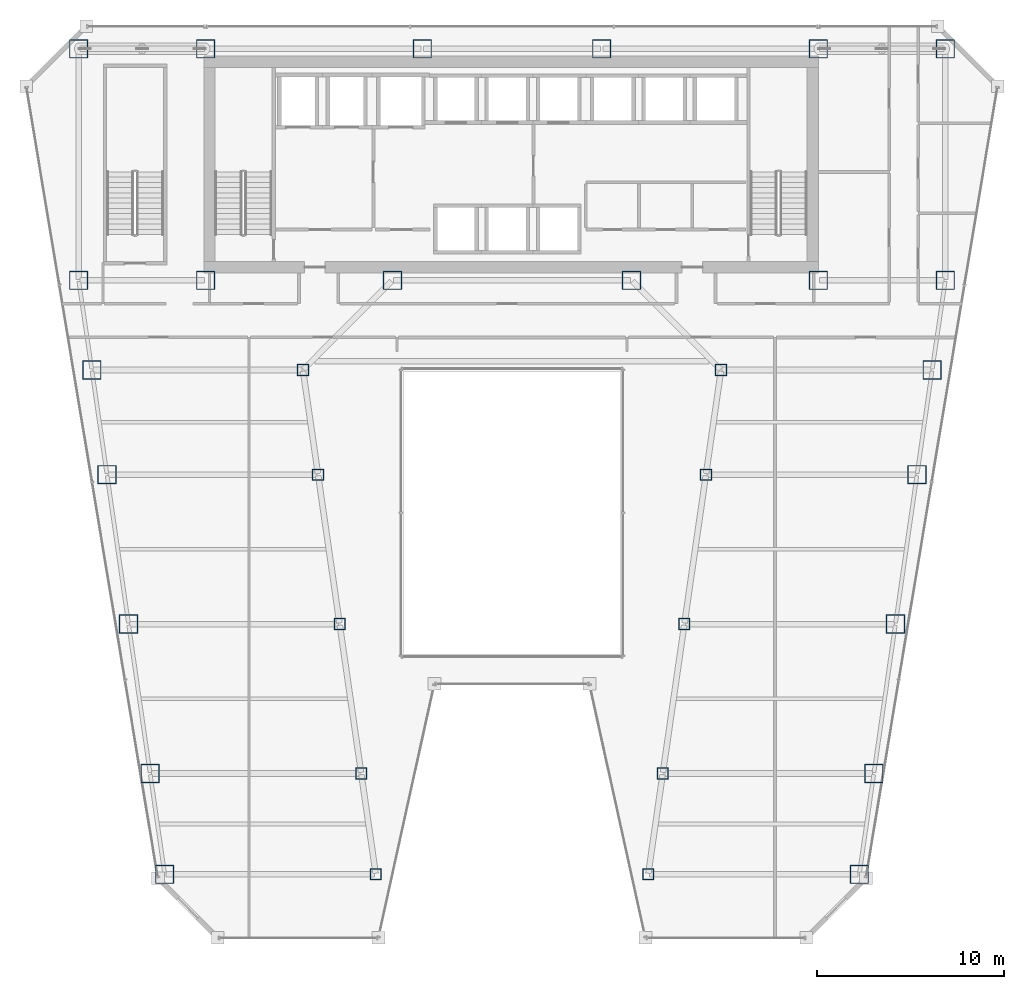
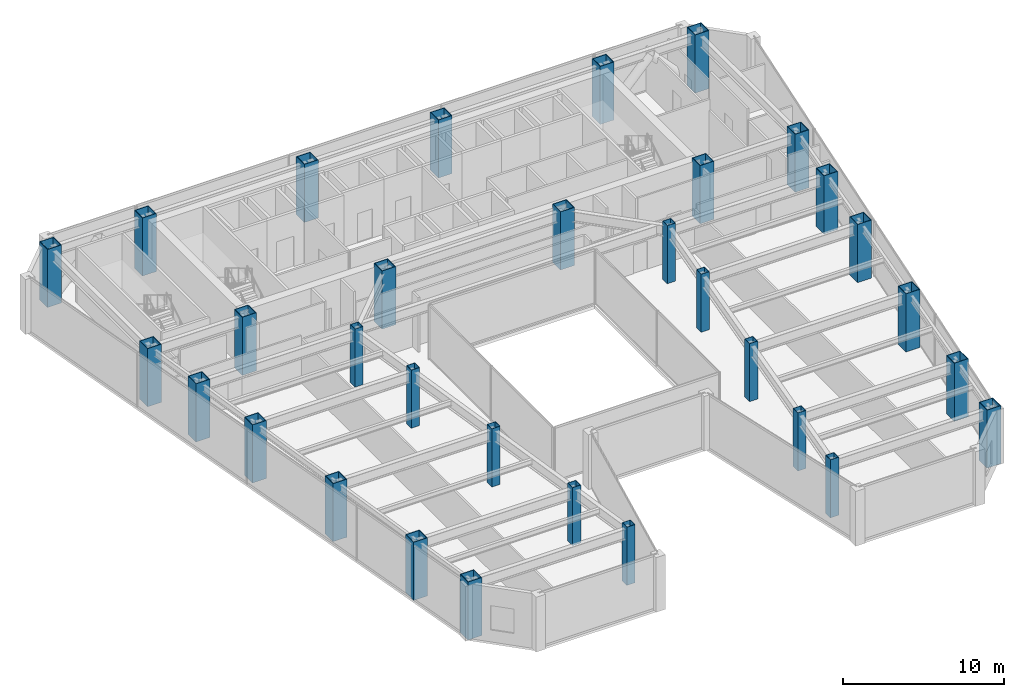
# One storey, part 1 of 37: 32 columns.
"""IFC4 building model written with IfcOpenShell, lengths in metres."""

from ifc_helpers import new_model, si_unit, direction, frame, origin, origin_2d, place, context, subcontext, project, spatial, hollow_rectangle, extrude, material, material_profile, profile_set, type_object, element, save


model = new_model("IFC4")

# Units and contexts
model_context = context("Model", 3, precision=1e-05, world=origin(), true_north=direction((0.0, 1.0)))
body_context = subcontext(model_context, "Body", "Model", "MODEL_VIEW")
ifc_project = project(units=[si_unit("LENGTHUNIT", "METRE"), si_unit("AREAUNIT", "SQUARE_METRE"), si_unit("VOLUMEUNIT", "CUBIC_METRE"), si_unit("PLANEANGLEUNIT", "RADIAN"), si_unit("MASSUNIT", "GRAM", prefix="KILO")], contexts=[model_context])

# Site, building, storey
site_placement = place(None, origin())
site = spatial("IfcSite", under=ifc_project, at=site_placement, CompositionType="ELEMENT")
building_placement = place(site_placement, origin())
building = spatial("IfcBuilding", under=site, at=building_placement, Name="Saevonmaru Cultural Tower", CompositionType="ELEMENT")
storey_placement = place(building_placement, frame((0.0, 0.0, 106.0)))
storey = spatial("IfcBuildingStorey", under=building, at=storey_placement, Name="L22", CompositionType="ELEMENT", Elevation=106.0)

# Columns
ifc_material_1 = material(Name="Steel SM420", Category="steel")
ifc_material_profile_1 = material_profile(ifc_material_1, hollow_rectangle(XDim=1.0, YDim=1.0, WallThickness=0.044921875, at=origin_2d()), Name="BOX-1000x1000x45")
ifc_profile_set_1 = profile_set([ifc_material_profile_1], Name="Steel SM420")
column_type_1 = type_object("IfcColumnType", Name="COL-BOX-1000", PredefinedType="COLUMN", material=ifc_profile_set_1)
for number, where, z_axis, x_axis, name in (
    (1, (6.800048828125, 54.800048828125, 0.0), (0.0, 0.0, 1.0), (1.0, 0.0, 0.0), "L22 Column TC-N1N"),
    (2, (13.60009765625, 54.800048828125, 0.0), (0.0, 0.0, 1.0), (1.0, 0.0, 0.0), "L22 Column TC-N2N"),
    (3, (25.199951171875, 54.800048828125, 0.0), (0.0, 0.0, 1.0), (1.0, 0.0, 0.0), "L22 Column TC-N3N"),
    (4, (34.800048828125, 54.800048828125, 0.0), (0.0, 0.0, 1.0), (1.0, 0.0, 0.0), "L22 Column TC-N4N"),
    (5, (46.39990234375, 54.800048828125, 0.0), (0.0, 0.0, 1.0), (1.0, 0.0, 0.0), "L22 Column TC-N5N"),
    (6, (53.199951171875, 54.800048828125, 0.0), (0.0, 0.0, 1.0), (1.0, 0.0, 0.0), "L22 Column TC-N6N"),
    (7, (6.800048828125, 42.39990234375, 0.0), (0.0, 0.0, 1.0), (1.0, 0.0, 0.0), "L22 Column TC-S1C"),
    (8, (13.60009765625, 42.39990234375, 0.0), (0.0, 0.0, 1.0), (1.0, 0.0, 0.0), "L22 Column TC-S2C"),
    (9, (23.60009765625, 42.39990234375, 0.0), (0.0, 0.0, 1.0), (1.0, 0.0, 0.0), "L22 Column TC-S3C"),
    (10, (36.39990234375, 42.39990234375, 0.0), (0.0, 0.0, 1.0), (1.0, 0.0, 0.0), "L22 Column TC-S4C"),
    (11, (46.39990234375, 42.39990234375, 0.0), (0.0, 0.0, 1.0), (1.0, 0.0, 0.0), "L22 Column TC-S5C"),
    (12, (53.199951171875, 42.39990234375, 0.0), (0.0, 0.0, 1.0), (1.0, 0.0, 0.0), "L22 Column TC-S6C"),
    (13, (11.407958984375, 10.60009765625, 0.0), (0.0, 0.0, 1.0), (1.0, 0.0, 0.0), "L22 Column TC-WO-Y106"),
    (14, (48.592041015625, 10.60009765625, 0.0), (0.0, 0.0, 1.0), (1.0, 0.0, 0.0), "L22 Column TC-EO-Y106"),
    (15, (10.6279296875, 16.0, 0.0), (0.0, 0.0, 1.0), (1.0, 0.0, 0.0), "L22 Column TC-WO-Y160"),
    (16, (49.3720703125, 16.0, 0.0), (0.0, 0.0, 1.0), (1.0, 0.0, 0.0), "L22 Column TC-EO-Y160"),
    (17, (9.471923828125, 24.0, 0.0), (0.0, 0.0, 1.0), (1.0, 0.0, 0.0), "L22 Column TC-WO-Y240"),
    (18, (50.528076171875, 24.0, 0.0), (0.0, 0.0, 1.0), (1.0, 0.0, 0.0), "L22 Column TC-EO-Y240"),
    (19, (8.31689453125, 32.0, 0.0), (0.0, 0.0, 1.0), (1.0, 0.0, 0.0), "L22 Column TC-WO-Y320"),
    (20, (51.68310546875, 32.0, 0.0), (0.0, 0.0, 1.0), (1.0, 0.0, 0.0), "L22 Column TC-EO-Y320"),
    (21, (7.508056640625, 37.60009765625, 0.0), (0.0, 0.0, 1.0), (1.0, 0.0, 0.0), "L22 Column TC-WO-Y376"),
    (22, (52.491943359375, 37.60009765625, 0.0), (0.0, 0.0, 1.0), (1.0, 0.0, 0.0), "L22 Column TC-EO-Y376"),
):
    element("IfcColumn", number, at=place(storey_placement, frame(where, z_axis=z_axis, x_axis=x_axis)), inside=storey, type_object=column_type_1, Name=name, PredefinedType="COLUMN", context=body_context, shape_type="SweptSolid", body=[
        extrude(hollow_rectangle(XDim=1.0, YDim=1.0, WallThickness=0.044921875, at=origin_2d()), origin(), (0.0, 0.0, 1.0), 4.39990234375),
    ])
ifc_material_2 = material(Name="Steel SM355", Category="steel")
ifc_material_profile_2 = material_profile(ifc_material_2, hollow_rectangle(XDim=0.60009765625, YDim=0.60009765625, WallThickness=0.028076171875, at=origin_2d()), Name="BOX-600x600x28")
ifc_profile_set_2 = profile_set([ifc_material_profile_2], Name="Steel SM355")
column_type_2 = type_object("IfcColumnType", Name="COL-BOX-600", PredefinedType="COLUMN", material=ifc_profile_set_2)
for number, where, z_axis, x_axis, name in (
    (23, (22.7080078125, 10.60009765625, 0.0), (0.0, 0.0, 1.0), (1.0, 0.0, 0.0), "L22 Column TC-WI-Y106"),
    (24, (37.2919921875, 10.60009765625, 0.0), (0.0, 0.0, 1.0), (1.0, 0.0, 0.0), "L22 Column TC-EI-Y106"),
    (25, (21.927978515625, 16.0, 0.0), (0.0, 0.0, 1.0), (1.0, 0.0, 0.0), "L22 Column TC-WI-Y160"),
    (26, (38.072021484375, 16.0, 0.0), (0.0, 0.0, 1.0), (1.0, 0.0, 0.0), "L22 Column TC-EI-Y160"),
    (27, (20.77197265625, 24.0, 0.0), (0.0, 0.0, 1.0), (1.0, 0.0, 0.0), "L22 Column TC-WI-Y240"),
    (28, (39.22802734375, 24.0, 0.0), (0.0, 0.0, 1.0), (1.0, 0.0, 0.0), "L22 Column TC-EI-Y240"),
    (29, (19.616943359375, 32.0, 0.0), (0.0, 0.0, 1.0), (1.0, 0.0, 0.0), "L22 Column TC-WI-Y320"),
    (30, (40.383056640625, 32.0, 0.0), (0.0, 0.0, 1.0), (1.0, 0.0, 0.0), "L22 Column TC-EI-Y320"),
    (31, (18.80810546875, 37.60009765625, 0.0), (0.0, 0.0, 1.0), (1.0, 0.0, 0.0), "L22 Column TC-WI-Y376"),
    (32, (41.19189453125, 37.60009765625, 0.0), (0.0, 0.0, 1.0), (1.0, 0.0, 0.0), "L22 Column TC-EI-Y376"),
):
    element("IfcColumn", number, at=place(storey_placement, frame(where, z_axis=z_axis, x_axis=x_axis)), inside=storey, type_object=column_type_2, Name=name, PredefinedType="COLUMN", context=body_context, shape_type="SweptSolid", body=[
        extrude(hollow_rectangle(XDim=0.60009765625, YDim=0.60009765625, WallThickness=0.028076171875, at=origin_2d()), origin(), (0.0, 0.0, 1.0), 4.39990234375),
    ])

save(model, "model.ifc")
